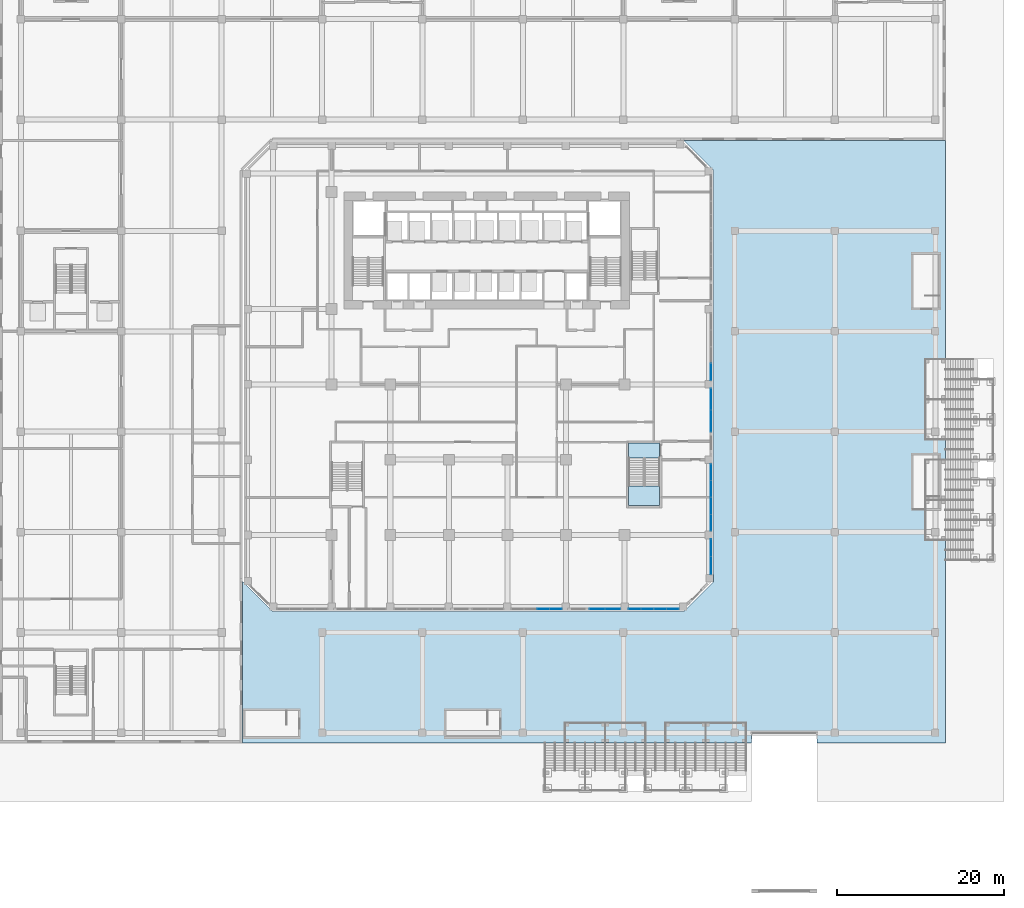
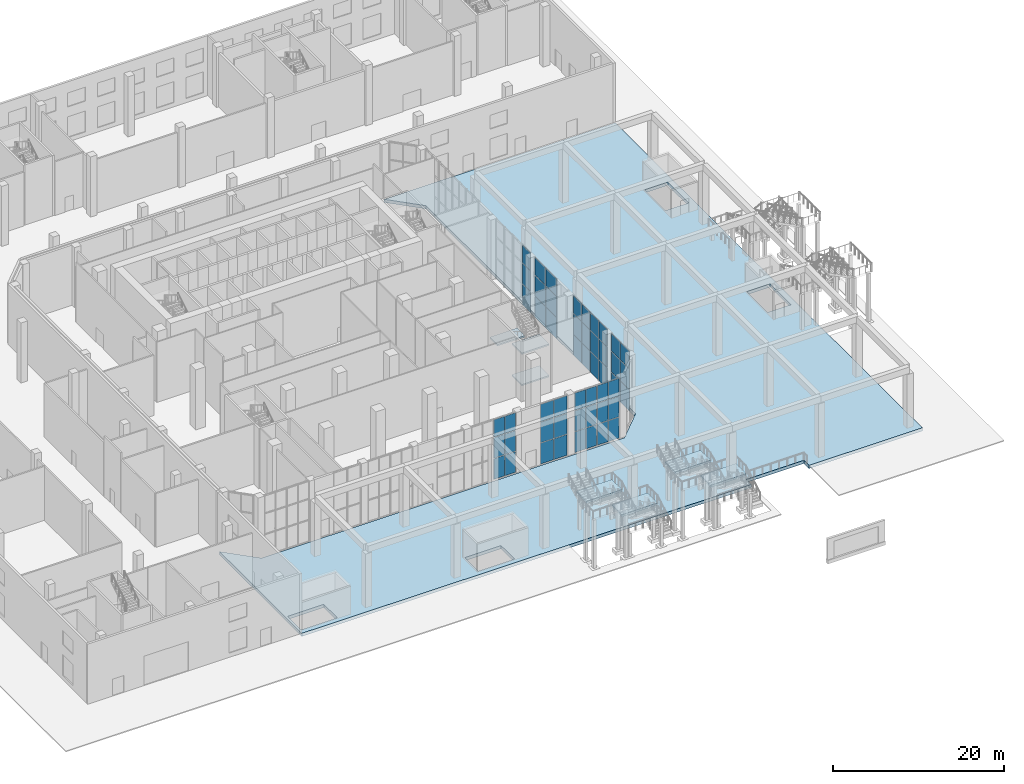
# One storey, part 15 of 43: 51 plates, 8 slabs, 12 elements without a shape of their own.
"""IFC4 building model written with IfcOpenShell, lengths in metres."""

from ifc_helpers import new_model, si_unit, direction, frame, origin, origin_2d, place, context, subcontext, project, spatial, polyline, rectangle, outline, extrude, source, transform, mapped, material, layer, layer_set, type_object, element, aggregate, save


model = new_model("IFC4")

# Units and contexts
model_context = context("Model", 3, precision=1e-05, world=origin(), true_north=direction((0.0, 1.0)))
body_context = subcontext(model_context, "Body", "Model", "MODEL_VIEW")
ifc_project = project(units=[si_unit("LENGTHUNIT", "METRE"), si_unit("AREAUNIT", "SQUARE_METRE"), si_unit("VOLUMEUNIT", "CUBIC_METRE"), si_unit("PLANEANGLEUNIT", "RADIAN"), si_unit("MASSUNIT", "GRAM", prefix="KILO")], contexts=[model_context])

# Site, building, storey
site_placement = place(None, origin())
site = spatial("IfcSite", under=ifc_project, at=site_placement, CompositionType="ELEMENT")
building_placement = place(site_placement, origin())
building = spatial("IfcBuilding", under=site, at=building_placement, Name="Kilnfold Tower and Market Hall", CompositionType="ELEMENT")
storey_placement = place(building_placement, origin())
storey = spatial("IfcBuildingStorey", under=building, at=storey_placement, Name="L00", CompositionType="ELEMENT", Elevation=0.0)

# Slab
ifc_material_1 = material(Name="Concrete C40/50", Category="concrete")
ifc_layer_1 = layer(ifc_material_1, 0.449951171875)
ifc_layer_set_1 = layer_set([ifc_layer_1], Name="Concrete C40/50")
slab_type_1 = type_object("IfcSlabType", Name="ARCADE SLAB 450", PredefinedType="FLOOR", material=ifc_layer_set_1)
shared_shape_1 = source(origin(), body_context, "Body", "SweptSolid", [
    extrude(outline(polyline([(-28.14990234375, -43.85009765625), (32.699951171875, -43.85009765625), (32.699951171875, -42.64990234375), (40.5, -42.64990234375), (40.5, -43.85009765625), (55.85009765625, -43.85009765625), (55.85009765625, 28.14990234375), (24.56201171875, 28.14990234375), (28.14990234375, 24.56201171875), (28.14990234375, -24.56201171875), (24.56201171875, -28.14990234375), (-24.56201171875, -28.14990234375), (-28.14990234375, -24.56201171875), (-28.14990234375, -43.85009765625)]), holes=[polyline([(-27.85009765625, -43.14990234375), (-22.955078125, -43.14990234375), (-22.955078125, -40.0), (-27.85009765625, -40.0), (-27.85009765625, -43.14990234375)]), polyline([(-3.85009765625, -43.14990234375), (1.044921875, -43.14990234375), (1.044921875, -40.0), (-3.85009765625, -40.0), (-3.85009765625, -43.14990234375)]), polyline([(51.949951171875, -14.344970703125), (55.10009765625, -14.344970703125), (55.10009765625, -9.449951171875), (51.949951171875, -9.449951171875), (51.949951171875, -14.344970703125)]), polyline([(51.949951171875, 9.655029296875), (55.10009765625, 9.655029296875), (55.10009765625, 14.550048828125), (51.949951171875, 14.550048828125), (51.949951171875, 9.655029296875)])]), origin(), (0.0, 0.0, 1.0), 0.449951171875),
])
slab_1_placement = place(storey_placement, frame((0.0, 0.0, -0.449951171875)))
element("IfcSlab", 1, at=slab_1_placement, inside=storey, type_object=slab_type_1, Name="Arcade slab", PredefinedType="FLOOR", context=body_context, shape_type="MappedRepresentation", body=[
    mapped(shared_shape_1, transform((0.0, 0.0, 0.0))),
])

# Stair, slabs
ifc_material_2 = material(Name="Concrete C40/50", Category="concrete")
stair_type_1 = type_object("IfcStairType", Name="GARDEN STAIR 2400", PredefinedType="USERDEFINED", material=ifc_material_2)
stair_1_placement = place(storey_placement, origin())
stair_1 = element("IfcStair", 2, at=stair_1_placement, inside=storey, type_object=stair_type_1, Name="Garden stair GS-S1", ObjectType="GARDEN STAIR", PredefinedType="USERDEFINED")
ifc_material_3 = material(Name="Concrete C40/50", Category="concrete")
ifc_layer_2 = layer(ifc_material_3, 0.300048828125)
ifc_layer_set_2 = layer_set([ifc_layer_2], Name="Concrete C40/50")
slab_type_2 = type_object("IfcSlabType", Name="GARDEN STAIR LANDING 300", PredefinedType="LANDING", material=ifc_layer_set_2)
shared_shape_2 = source(origin(), body_context, "Body", "SweptSolid", [
    extrude(outline(polyline([(10.39990234375, -41.449951171875), (15.199951171875, -41.449951171875), (15.199951171875, -43.85009765625), (10.39990234375, -43.85009765625), (10.39990234375, -41.449951171875)])), origin(), (0.0, 0.0, 1.0), 0.2998046875),
])
slab_2_placement = place(storey_placement, frame((0.0, 0.0, 5.10009765625)))
slab_2 = element("IfcSlab", 3, at=slab_2_placement, type_object=slab_type_2, Name="GS-S1 landing 2", PredefinedType="LANDING", context=body_context, shape_type="MappedRepresentation", body=[
    mapped(shared_shape_2, transform((0.0, 0.0, 0.0))),
])
shared_shape_3 = source(origin(), body_context, "Body", "SweptSolid", [
    extrude(outline(polyline([(15.199951171875, -41.449951171875), (20.0, -41.449951171875), (20.0, -43.85009765625), (15.199951171875, -43.85009765625), (15.199951171875, -41.449951171875)])), origin(), (0.0, 0.0, 1.0), 0.300048828125),
])
slab_3_placement = place(storey_placement, frame((0.0, 0.0, 1.5)))
slab_3 = element("IfcSlab", 4, at=slab_3_placement, type_object=slab_type_2, Name="GS-S1 landing 4", PredefinedType="LANDING", context=body_context, shape_type="MappedRepresentation", body=[
    mapped(shared_shape_3, transform((0.0, 0.0, 0.0))),
])
aggregate(stair_1, [slab_2, slab_3])

stair_2_placement = place(storey_placement, origin())
stair_2 = element("IfcStair", 5, at=stair_2_placement, inside=storey, type_object=stair_type_1, Name="Garden stair GS-S2", ObjectType="GARDEN STAIR", PredefinedType="USERDEFINED")
shared_shape_4 = source(origin(), body_context, "Body", "SweptSolid", [
    extrude(outline(polyline([(22.39990234375, -41.449951171875), (27.199951171875, -41.449951171875), (27.199951171875, -43.85009765625), (22.39990234375, -43.85009765625), (22.39990234375, -41.449951171875)])), origin(), (0.0, 0.0, 1.0), 0.2998046875),
])
slab_4_placement = place(storey_placement, frame((0.0, 0.0, 5.10009765625)))
slab_4 = element("IfcSlab", 6, at=slab_4_placement, type_object=slab_type_2, Name="GS-S2 landing 2", PredefinedType="LANDING", context=body_context, shape_type="MappedRepresentation", body=[
    mapped(shared_shape_4, transform((0.0, 0.0, 0.0))),
])
shared_shape_5 = source(origin(), body_context, "Body", "SweptSolid", [
    extrude(outline(polyline([(27.199951171875, -41.449951171875), (32.0, -41.449951171875), (32.0, -43.85009765625), (27.199951171875, -43.85009765625), (27.199951171875, -41.449951171875)])), origin(), (0.0, 0.0, 1.0), 0.300048828125),
])
slab_5_placement = place(storey_placement, frame((0.0, 0.0, 1.5)))
slab_5 = element("IfcSlab", 7, at=slab_5_placement, type_object=slab_type_2, Name="GS-S2 landing 4", PredefinedType="LANDING", context=body_context, shape_type="MappedRepresentation", body=[
    mapped(shared_shape_5, transform((0.0, 0.0, 0.0))),
])
aggregate(stair_2, [slab_4, slab_5])

# Curtain wall, plates
ifc_material_4 = material(Name="Aluminium and double glazing", Category="aluminium")
curtain_wall_type = type_object("IfcCurtainWallType", Name="CW BASE PODIUM GLAZING", PredefinedType="NOTDEFINED", material=ifc_material_4)
curtain_wall_1_placement = place(storey_placement, origin())
curtain_wall_1 = element("IfcCurtainWall", 8, at=curtain_wall_1_placement, inside=storey, type_object=curtain_wall_type, Name="Curtain wall CW4 L00 S", PredefinedType="NOTDEFINED")
ifc_material_5 = material(Name="Double glazed unit")
ifc_layer_3 = layer(ifc_material_5, 0.035888671875)
ifc_layer_set_3 = layer_set([ifc_layer_3], Name="Double glazed unit")
plate_type = type_object("IfcPlateType", Name="GLAZING PANEL 36", PredefinedType="CURTAIN_PANEL", material=ifc_layer_set_3)
shared_shape_6 = source(origin(), body_context, "Body", "SweptSolid", [
    extrude(rectangle(XDim=1.419921875, YDim=0.035888671875, at=origin_2d()), origin(), (0.0, 0.0, 1.0), 2.965087890625),
])
plate_1_placement = place(storey_placement, frame((7.780029296875, -27.85009765625, 0.0), z_axis=(0.0, 0.0, 1.0), x_axis=(1.0, 0.0, 0.0)))
plate_1 = element("IfcPlate", 9, at=plate_1_placement, type_object=plate_type, Name="CW4 panel 1.1", PredefinedType="CURTAIN_PANEL", context=body_context, shape_type="MappedRepresentation", body=[
    mapped(shared_shape_6, transform((0.0, 0.0, 0.0))),
])
plate_2_placement = place(storey_placement, frame((9.27001953125, -27.85009765625, 0.0), z_axis=(0.0, 0.0, 1.0), x_axis=(1.0, 0.0, 0.0)))
plate_2 = element("IfcPlate", 10, at=plate_2_placement, type_object=plate_type, Name="CW4 panel 2.1", PredefinedType="CURTAIN_PANEL", context=body_context, shape_type="MappedRepresentation", body=[
    mapped(shared_shape_6, transform((0.0, 0.0, 0.0))),
])

curtain_wall_2_placement = place(storey_placement, origin())
curtain_wall_2 = element("IfcCurtainWall", 11, at=curtain_wall_2_placement, inside=storey, type_object=curtain_wall_type, Name="Curtain wall CW4 L00 S", PredefinedType="NOTDEFINED")
plate_3_placement = place(storey_placement, frame((18.72998046875, -27.85009765625, 0.0), z_axis=(0.0, 0.0, 1.0), x_axis=(1.0, 0.0, 0.0)))
plate_3 = element("IfcPlate", 12, at=plate_3_placement, type_object=plate_type, Name="CW4 panel 1.1", PredefinedType="CURTAIN_PANEL", context=body_context, shape_type="MappedRepresentation", body=[
    mapped(shared_shape_6, transform((0.0, 0.0, 0.0))),
])
plate_4_placement = place(storey_placement, frame((20.219970703125, -27.85009765625, 0.0), z_axis=(0.0, 0.0, 1.0), x_axis=(1.0, 0.0, 0.0)))
plate_4 = element("IfcPlate", 13, at=plate_4_placement, type_object=plate_type, Name="CW4 panel 2.1", PredefinedType="CURTAIN_PANEL", context=body_context, shape_type="MappedRepresentation", body=[
    mapped(shared_shape_6, transform((0.0, 0.0, 0.0))),
])

curtain_wall_3_placement = place(storey_placement, origin())
curtain_wall_3 = element("IfcCurtainWall", 14, at=curtain_wall_3_placement, inside=storey, type_object=curtain_wall_type, Name="Curtain wall CW4 L00 S", PredefinedType="NOTDEFINED")
plate_5_placement = place(storey_placement, frame((21.780029296875, -27.85009765625, 0.0), z_axis=(0.0, 0.0, 1.0), x_axis=(1.0, 0.0, 0.0)))
plate_5 = element("IfcPlate", 15, at=plate_5_placement, type_object=plate_type, Name="CW4 panel 1.1", PredefinedType="CURTAIN_PANEL", context=body_context, shape_type="MappedRepresentation", body=[
    mapped(shared_shape_6, transform((0.0, 0.0, 0.0))),
])
plate_6_placement = place(storey_placement, frame((23.27001953125, -27.85009765625, 0.0), z_axis=(0.0, 0.0, 1.0), x_axis=(1.0, 0.0, 0.0)))
plate_6 = element("IfcPlate", 16, at=plate_6_placement, type_object=plate_type, Name="CW4 panel 2.1", PredefinedType="CURTAIN_PANEL", context=body_context, shape_type="MappedRepresentation", body=[
    mapped(shared_shape_6, transform((0.0, 0.0, 0.0))),
])

# Plate
shared_shape_7 = source(origin(), body_context, "Body", "SweptSolid", [
    extrude(rectangle(XDim=1.419921875, YDim=0.035888671875, at=origin_2d()), origin(), (0.0, 0.0, 1.0), 2.929931640625),
])
plate_7_placement = place(storey_placement, frame((7.780029296875, -27.85009765625, 3.03515625), z_axis=(0.0, 0.0, 1.0), x_axis=(1.0, 0.0, 0.0)))
plate_7 = element("IfcPlate", 17, at=plate_7_placement, type_object=plate_type, Name="CW4 panel 1.2", PredefinedType="CURTAIN_PANEL", context=body_context, shape_type="MappedRepresentation", body=[
    mapped(shared_shape_7, transform((0.0, 0.0, 0.0))),
])

plate_8_placement = place(storey_placement, frame((9.27001953125, -27.85009765625, 3.03515625), z_axis=(0.0, 0.0, 1.0), x_axis=(1.0, 0.0, 0.0)))
plate_8 = element("IfcPlate", 18, at=plate_8_placement, type_object=plate_type, Name="CW4 panel 2.2", PredefinedType="CURTAIN_PANEL", context=body_context, shape_type="MappedRepresentation", body=[
    mapped(shared_shape_7, transform((0.0, 0.0, 0.0))),
])

plate_9_placement = place(storey_placement, frame((18.72998046875, -27.85009765625, 3.03515625), z_axis=(0.0, 0.0, 1.0), x_axis=(1.0, 0.0, 0.0)))
plate_9 = element("IfcPlate", 19, at=plate_9_placement, type_object=plate_type, Name="CW4 panel 1.2", PredefinedType="CURTAIN_PANEL", context=body_context, shape_type="MappedRepresentation", body=[
    mapped(shared_shape_7, transform((0.0, 0.0, 0.0))),
])

plate_10_placement = place(storey_placement, frame((20.219970703125, -27.85009765625, 3.03515625), z_axis=(0.0, 0.0, 1.0), x_axis=(1.0, 0.0, 0.0)))
plate_10 = element("IfcPlate", 20, at=plate_10_placement, type_object=plate_type, Name="CW4 panel 2.2", PredefinedType="CURTAIN_PANEL", context=body_context, shape_type="MappedRepresentation", body=[
    mapped(shared_shape_7, transform((0.0, 0.0, 0.0))),
])

plate_11_placement = place(storey_placement, frame((21.780029296875, -27.85009765625, 3.03515625), z_axis=(0.0, 0.0, 1.0), x_axis=(1.0, 0.0, 0.0)))
plate_11 = element("IfcPlate", 21, at=plate_11_placement, type_object=plate_type, Name="CW4 panel 1.2", PredefinedType="CURTAIN_PANEL", context=body_context, shape_type="MappedRepresentation", body=[
    mapped(shared_shape_7, transform((0.0, 0.0, 0.0))),
])

plate_12_placement = place(storey_placement, frame((23.27001953125, -27.85009765625, 3.03515625), z_axis=(0.0, 0.0, 1.0), x_axis=(1.0, 0.0, 0.0)))
plate_12 = element("IfcPlate", 22, at=plate_12_placement, type_object=plate_type, Name="CW4 panel 2.2", PredefinedType="CURTAIN_PANEL", context=body_context, shape_type="MappedRepresentation", body=[
    mapped(shared_shape_7, transform((0.0, 0.0, 0.0))),
])

shared_shape_8 = source(origin(), body_context, "Body", "SweptSolid", [
    extrude(rectangle(XDim=1.419921875, YDim=0.035888671875, at=origin_2d()), origin(), (0.0, 0.0, 1.0), 2.4951171875),
])
plate_13_placement = place(storey_placement, frame((7.780029296875, -27.85009765625, 6.034912109375), z_axis=(0.0, 0.0, 1.0), x_axis=(1.0, 0.0, 0.0)))
plate_13 = element("IfcPlate", 23, at=plate_13_placement, type_object=plate_type, Name="CW4 panel 1.3", PredefinedType="CURTAIN_PANEL", context=body_context, shape_type="MappedRepresentation", body=[
    mapped(shared_shape_8, transform((0.0, 0.0, 0.0))),
])

plate_14_placement = place(storey_placement, frame((9.27001953125, -27.85009765625, 6.034912109375), z_axis=(0.0, 0.0, 1.0), x_axis=(1.0, 0.0, 0.0)))
plate_14 = element("IfcPlate", 24, at=plate_14_placement, type_object=plate_type, Name="CW4 panel 2.3", PredefinedType="CURTAIN_PANEL", context=body_context, shape_type="MappedRepresentation", body=[
    mapped(shared_shape_8, transform((0.0, 0.0, 0.0))),
])

aggregate(curtain_wall_1, [plate_1, plate_7, plate_13, plate_2, plate_8, plate_14])

plate_15_placement = place(storey_placement, frame((18.72998046875, -27.85009765625, 6.034912109375), z_axis=(0.0, 0.0, 1.0), x_axis=(1.0, 0.0, 0.0)))
plate_15 = element("IfcPlate", 25, at=plate_15_placement, type_object=plate_type, Name="CW4 panel 1.3", PredefinedType="CURTAIN_PANEL", context=body_context, shape_type="MappedRepresentation", body=[
    mapped(shared_shape_8, transform((0.0, 0.0, 0.0))),
])

plate_16_placement = place(storey_placement, frame((20.219970703125, -27.85009765625, 6.034912109375), z_axis=(0.0, 0.0, 1.0), x_axis=(1.0, 0.0, 0.0)))
plate_16 = element("IfcPlate", 26, at=plate_16_placement, type_object=plate_type, Name="CW4 panel 2.3", PredefinedType="CURTAIN_PANEL", context=body_context, shape_type="MappedRepresentation", body=[
    mapped(shared_shape_8, transform((0.0, 0.0, 0.0))),
])

aggregate(curtain_wall_2, [plate_3, plate_9, plate_15, plate_4, plate_10, plate_16])

plate_17_placement = place(storey_placement, frame((21.780029296875, -27.85009765625, 6.034912109375), z_axis=(0.0, 0.0, 1.0), x_axis=(1.0, 0.0, 0.0)))
plate_17 = element("IfcPlate", 27, at=plate_17_placement, type_object=plate_type, Name="CW4 panel 1.3", PredefinedType="CURTAIN_PANEL", context=body_context, shape_type="MappedRepresentation", body=[
    mapped(shared_shape_8, transform((0.0, 0.0, 0.0))),
])

plate_18_placement = place(storey_placement, frame((23.27001953125, -27.85009765625, 6.034912109375), z_axis=(0.0, 0.0, 1.0), x_axis=(1.0, 0.0, 0.0)))
plate_18 = element("IfcPlate", 28, at=plate_18_placement, type_object=plate_type, Name="CW4 panel 2.3", PredefinedType="CURTAIN_PANEL", context=body_context, shape_type="MappedRepresentation", body=[
    mapped(shared_shape_8, transform((0.0, 0.0, 0.0))),
])

aggregate(curtain_wall_3, [plate_5, plate_11, plate_17, plate_6, plate_12, plate_18])

# Curtain wall, plates
curtain_wall_4_placement = place(storey_placement, origin())
curtain_wall_4 = element("IfcCurtainWall", 29, at=curtain_wall_4_placement, inside=storey, type_object=curtain_wall_type, Name="Curtain wall CW4 L00 S", PredefinedType="NOTDEFINED")
shared_shape_9 = source(origin(), body_context, "Body", "SweptSolid", [
    extrude(rectangle(XDim=1.77001953125, YDim=0.035888671875, at=origin_2d()), origin(), (0.0, 0.0, 1.0), 2.965087890625),
])
plate_19_placement = place(storey_placement, frame((14.2548828125, -27.85009765625, 0.0), z_axis=(0.0, 0.0, 1.0), x_axis=(1.0, 0.0, 0.0)))
plate_19 = element("IfcPlate", 30, at=plate_19_placement, type_object=plate_type, Name="CW4 panel 1.1", PredefinedType="CURTAIN_PANEL", context=body_context, shape_type="MappedRepresentation", body=[
    mapped(shared_shape_9, transform((0.0, 0.0, 0.0))),
])
plate_20_placement = place(storey_placement, frame((16.094970703125, -27.85009765625, 0.0), z_axis=(0.0, 0.0, 1.0), x_axis=(1.0, 0.0, 0.0)))
plate_20 = element("IfcPlate", 31, at=plate_20_placement, type_object=plate_type, Name="CW4 panel 2.1", PredefinedType="CURTAIN_PANEL", context=body_context, shape_type="MappedRepresentation", body=[
    mapped(shared_shape_9, transform((0.0, 0.0, 0.0))),
])
shared_shape_10 = source(origin(), body_context, "Body", "SweptSolid", [
    extrude(rectangle(XDim=1.77001953125, YDim=0.035888671875, at=origin_2d()), origin(), (0.0, 0.0, 1.0), 2.929931640625),
])
plate_21_placement = place(storey_placement, frame((14.2548828125, -27.85009765625, 3.03515625), z_axis=(0.0, 0.0, 1.0), x_axis=(1.0, 0.0, 0.0)))
plate_21 = element("IfcPlate", 32, at=plate_21_placement, type_object=plate_type, Name="CW4 panel 1.2", PredefinedType="CURTAIN_PANEL", context=body_context, shape_type="MappedRepresentation", body=[
    mapped(shared_shape_10, transform((0.0, 0.0, 0.0))),
])
plate_22_placement = place(storey_placement, frame((16.094970703125, -27.85009765625, 3.03515625), z_axis=(0.0, 0.0, 1.0), x_axis=(1.0, 0.0, 0.0)))
plate_22 = element("IfcPlate", 33, at=plate_22_placement, type_object=plate_type, Name="CW4 panel 2.2", PredefinedType="CURTAIN_PANEL", context=body_context, shape_type="MappedRepresentation", body=[
    mapped(shared_shape_10, transform((0.0, 0.0, 0.0))),
])
shared_shape_11 = source(origin(), body_context, "Body", "SweptSolid", [
    extrude(rectangle(XDim=1.77001953125, YDim=0.035888671875, at=origin_2d()), origin(), (0.0, 0.0, 1.0), 2.4951171875),
])
plate_23_placement = place(storey_placement, frame((14.2548828125, -27.85009765625, 6.034912109375), z_axis=(0.0, 0.0, 1.0), x_axis=(1.0, 0.0, 0.0)))
plate_23 = element("IfcPlate", 34, at=plate_23_placement, type_object=plate_type, Name="CW4 panel 1.3", PredefinedType="CURTAIN_PANEL", context=body_context, shape_type="MappedRepresentation", body=[
    mapped(shared_shape_11, transform((0.0, 0.0, 0.0))),
])
plate_24_placement = place(storey_placement, frame((16.094970703125, -27.85009765625, 6.034912109375), z_axis=(0.0, 0.0, 1.0), x_axis=(1.0, 0.0, 0.0)))
plate_24 = element("IfcPlate", 35, at=plate_24_placement, type_object=plate_type, Name="CW4 panel 2.3", PredefinedType="CURTAIN_PANEL", context=body_context, shape_type="MappedRepresentation", body=[
    mapped(shared_shape_11, transform((0.0, 0.0, 0.0))),
])
aggregate(curtain_wall_4, [plate_19, plate_21, plate_23, plate_20, plate_22, plate_24])

curtain_wall_5_placement = place(storey_placement, origin())
curtain_wall_5 = element("IfcCurtainWall", 36, at=curtain_wall_5_placement, inside=storey, type_object=curtain_wall_type, Name="Curtain wall CW4 L00 E", PredefinedType="NOTDEFINED")
shared_shape_12 = source(origin(), body_context, "Body", "SweptSolid", [
    extrude(rectangle(XDim=2.035888671875, YDim=0.035888671875, at=origin_2d()), origin(), (0.0, 0.0, 1.0), 2.965087890625),
])
plate_25_placement = place(storey_placement, frame((27.85009765625, -22.643798828125, 0.0), z_axis=(0.0, 0.0, 1.0), x_axis=(0.0, 1.0, 0.0)))
plate_25 = element("IfcPlate", 37, at=plate_25_placement, type_object=plate_type, Name="CW4 panel 1.1", PredefinedType="CURTAIN_PANEL", context=body_context, shape_type="MappedRepresentation", body=[
    mapped(shared_shape_12, transform((0.0, 0.0, 0.0))),
])
plate_26_placement = place(storey_placement, frame((27.85009765625, -20.537841796875, 0.0), z_axis=(0.0, 0.0, 1.0), x_axis=(0.0, 1.0, 0.0)))
plate_26 = element("IfcPlate", 38, at=plate_26_placement, type_object=plate_type, Name="CW4 panel 2.1", PredefinedType="CURTAIN_PANEL", context=body_context, shape_type="MappedRepresentation", body=[
    mapped(shared_shape_12, transform((0.0, 0.0, 0.0))),
])
shared_shape_13 = source(origin(), body_context, "Body", "SweptSolid", [
    extrude(rectangle(XDim=2.035888671875, YDim=0.035888671875, at=origin_2d()), origin(), (0.0, 0.0, 1.0), 2.929931640625),
])
plate_27_placement = place(storey_placement, frame((27.85009765625, -22.643798828125, 3.03515625), z_axis=(0.0, 0.0, 1.0), x_axis=(0.0, 1.0, 0.0)))
plate_27 = element("IfcPlate", 39, at=plate_27_placement, type_object=plate_type, Name="CW4 panel 1.2", PredefinedType="CURTAIN_PANEL", context=body_context, shape_type="MappedRepresentation", body=[
    mapped(shared_shape_13, transform((0.0, 0.0, 0.0))),
])
plate_28_placement = place(storey_placement, frame((27.85009765625, -20.537841796875, 3.03515625), z_axis=(0.0, 0.0, 1.0), x_axis=(0.0, 1.0, 0.0)))
plate_28 = element("IfcPlate", 40, at=plate_28_placement, type_object=plate_type, Name="CW4 panel 2.2", PredefinedType="CURTAIN_PANEL", context=body_context, shape_type="MappedRepresentation", body=[
    mapped(shared_shape_13, transform((0.0, 0.0, 0.0))),
])
shared_shape_14 = source(origin(), body_context, "Body", "SweptSolid", [
    extrude(rectangle(XDim=2.035888671875, YDim=0.035888671875, at=origin_2d()), origin(), (0.0, 0.0, 1.0), 2.4951171875),
])
plate_29_placement = place(storey_placement, frame((27.85009765625, -22.643798828125, 6.034912109375), z_axis=(0.0, 0.0, 1.0), x_axis=(0.0, 1.0, 0.0)))
plate_29 = element("IfcPlate", 41, at=plate_29_placement, type_object=plate_type, Name="CW4 panel 1.3", PredefinedType="CURTAIN_PANEL", context=body_context, shape_type="MappedRepresentation", body=[
    mapped(shared_shape_14, transform((0.0, 0.0, 0.0))),
])
plate_30_placement = place(storey_placement, frame((27.85009765625, -20.537841796875, 6.034912109375), z_axis=(0.0, 0.0, 1.0), x_axis=(0.0, 1.0, 0.0)))
plate_30 = element("IfcPlate", 42, at=plate_30_placement, type_object=plate_type, Name="CW4 panel 2.3", PredefinedType="CURTAIN_PANEL", context=body_context, shape_type="MappedRepresentation", body=[
    mapped(shared_shape_14, transform((0.0, 0.0, 0.0))),
])
aggregate(curtain_wall_5, [plate_25, plate_27, plate_29, plate_26, plate_28, plate_30])

curtain_wall_6_placement = place(storey_placement, origin())
curtain_wall_6 = element("IfcCurtainWall", 43, at=curtain_wall_6_placement, inside=storey, type_object=curtain_wall_type, Name="Curtain wall CW4 L00 E", PredefinedType="NOTDEFINED")
shared_shape_15 = source(origin(), body_context, "Body", "SweptSolid", [
    extrude(rectangle(XDim=1.919921875, YDim=0.035888671875, at=origin_2d()), origin(), (0.0, 0.0, 1.0), 2.965087890625),
])
plate_31_placement = place(storey_placement, frame((27.85009765625, -17.52001953125, 0.0), z_axis=(0.0, 0.0, 1.0), x_axis=(0.0, 1.0, 0.0)))
plate_31 = element("IfcPlate", 44, at=plate_31_placement, type_object=plate_type, Name="CW4 panel 1.1", PredefinedType="CURTAIN_PANEL", context=body_context, shape_type="MappedRepresentation", body=[
    mapped(shared_shape_15, transform((0.0, 0.0, 0.0))),
])
plate_32_placement = place(storey_placement, frame((27.85009765625, -15.530029296875, 0.0), z_axis=(0.0, 0.0, 1.0), x_axis=(0.0, 1.0, 0.0)))
plate_32 = element("IfcPlate", 45, at=plate_32_placement, type_object=plate_type, Name="CW4 panel 2.1", PredefinedType="CURTAIN_PANEL", context=body_context, shape_type="MappedRepresentation", body=[
    mapped(shared_shape_15, transform((0.0, 0.0, 0.0))),
])

curtain_wall_7_placement = place(storey_placement, origin())
curtain_wall_7 = element("IfcCurtainWall", 46, at=curtain_wall_7_placement, inside=storey, type_object=curtain_wall_type, Name="Curtain wall CW4 L00 E", PredefinedType="NOTDEFINED")
plate_33_placement = place(storey_placement, frame((27.85009765625, -13.469970703125, 0.0), z_axis=(0.0, 0.0, 1.0), x_axis=(0.0, 1.0, 0.0)))
plate_33 = element("IfcPlate", 47, at=plate_33_placement, type_object=plate_type, Name="CW4 panel 1.1", PredefinedType="CURTAIN_PANEL", context=body_context, shape_type="MappedRepresentation", body=[
    mapped(shared_shape_15, transform((0.0, 0.0, 0.0))),
])
plate_34_placement = place(storey_placement, frame((27.85009765625, -11.47998046875, 0.0), z_axis=(0.0, 0.0, 1.0), x_axis=(0.0, 1.0, 0.0)))
plate_34 = element("IfcPlate", 48, at=plate_34_placement, type_object=plate_type, Name="CW4 panel 2.1", PredefinedType="CURTAIN_PANEL", context=body_context, shape_type="MappedRepresentation", body=[
    mapped(shared_shape_15, transform((0.0, 0.0, 0.0))),
])

# Curtain wall, plate
curtain_wall_8_placement = place(storey_placement, origin())
curtain_wall_8 = element("IfcCurtainWall", 49, at=curtain_wall_8_placement, inside=storey, type_object=curtain_wall_type, Name="Curtain wall CW4 L00 E", PredefinedType="NOTDEFINED")
plate_35_placement = place(storey_placement, frame((27.85009765625, 0.47998046875, 0.0), z_axis=(0.0, 0.0, 1.0), x_axis=(0.0, 1.0, 0.0)))
plate_35 = element("IfcPlate", 50, at=plate_35_placement, type_object=plate_type, Name="CW4 panel 1.1", PredefinedType="CURTAIN_PANEL", context=body_context, shape_type="MappedRepresentation", body=[
    mapped(shared_shape_15, transform((0.0, 0.0, 0.0))),
])

# Plate
shared_shape_16 = source(origin(), body_context, "Body", "SweptSolid", [
    extrude(rectangle(XDim=1.919921875, YDim=0.035888671875, at=origin_2d()), origin(), (0.0, 0.0, 1.0), 2.929931640625),
])
plate_36_placement = place(storey_placement, frame((27.85009765625, -17.52001953125, 3.03515625), z_axis=(0.0, 0.0, 1.0), x_axis=(0.0, 1.0, 0.0)))
plate_36 = element("IfcPlate", 51, at=plate_36_placement, type_object=plate_type, Name="CW4 panel 1.2", PredefinedType="CURTAIN_PANEL", context=body_context, shape_type="MappedRepresentation", body=[
    mapped(shared_shape_16, transform((0.0, 0.0, 0.0))),
])

plate_37_placement = place(storey_placement, frame((27.85009765625, -15.530029296875, 3.03515625), z_axis=(0.0, 0.0, 1.0), x_axis=(0.0, 1.0, 0.0)))
plate_37 = element("IfcPlate", 52, at=plate_37_placement, type_object=plate_type, Name="CW4 panel 2.2", PredefinedType="CURTAIN_PANEL", context=body_context, shape_type="MappedRepresentation", body=[
    mapped(shared_shape_16, transform((0.0, 0.0, 0.0))),
])

plate_38_placement = place(storey_placement, frame((27.85009765625, -13.469970703125, 3.03515625), z_axis=(0.0, 0.0, 1.0), x_axis=(0.0, 1.0, 0.0)))
plate_38 = element("IfcPlate", 53, at=plate_38_placement, type_object=plate_type, Name="CW4 panel 1.2", PredefinedType="CURTAIN_PANEL", context=body_context, shape_type="MappedRepresentation", body=[
    mapped(shared_shape_16, transform((0.0, 0.0, 0.0))),
])

plate_39_placement = place(storey_placement, frame((27.85009765625, -11.47998046875, 3.03515625), z_axis=(0.0, 0.0, 1.0), x_axis=(0.0, 1.0, 0.0)))
plate_39 = element("IfcPlate", 54, at=plate_39_placement, type_object=plate_type, Name="CW4 panel 2.2", PredefinedType="CURTAIN_PANEL", context=body_context, shape_type="MappedRepresentation", body=[
    mapped(shared_shape_16, transform((0.0, 0.0, 0.0))),
])

plate_40_placement = place(storey_placement, frame((27.85009765625, 0.47998046875, 3.03515625), z_axis=(0.0, 0.0, 1.0), x_axis=(0.0, 1.0, 0.0)))
plate_40 = element("IfcPlate", 55, at=plate_40_placement, type_object=plate_type, Name="CW4 panel 1.2", PredefinedType="CURTAIN_PANEL", context=body_context, shape_type="MappedRepresentation", body=[
    mapped(shared_shape_16, transform((0.0, 0.0, 0.0))),
])

shared_shape_17 = source(origin(), body_context, "Body", "SweptSolid", [
    extrude(rectangle(XDim=1.919921875, YDim=0.035888671875, at=origin_2d()), origin(), (0.0, 0.0, 1.0), 2.4951171875),
])
plate_41_placement = place(storey_placement, frame((27.85009765625, -17.52001953125, 6.034912109375), z_axis=(0.0, 0.0, 1.0), x_axis=(0.0, 1.0, 0.0)))
plate_41 = element("IfcPlate", 56, at=plate_41_placement, type_object=plate_type, Name="CW4 panel 1.3", PredefinedType="CURTAIN_PANEL", context=body_context, shape_type="MappedRepresentation", body=[
    mapped(shared_shape_17, transform((0.0, 0.0, 0.0))),
])

plate_42_placement = place(storey_placement, frame((27.85009765625, -15.530029296875, 6.034912109375), z_axis=(0.0, 0.0, 1.0), x_axis=(0.0, 1.0, 0.0)))
plate_42 = element("IfcPlate", 57, at=plate_42_placement, type_object=plate_type, Name="CW4 panel 2.3", PredefinedType="CURTAIN_PANEL", context=body_context, shape_type="MappedRepresentation", body=[
    mapped(shared_shape_17, transform((0.0, 0.0, 0.0))),
])

aggregate(curtain_wall_6, [plate_31, plate_36, plate_41, plate_32, plate_37, plate_42])

plate_43_placement = place(storey_placement, frame((27.85009765625, -13.469970703125, 6.034912109375), z_axis=(0.0, 0.0, 1.0), x_axis=(0.0, 1.0, 0.0)))
plate_43 = element("IfcPlate", 58, at=plate_43_placement, type_object=plate_type, Name="CW4 panel 1.3", PredefinedType="CURTAIN_PANEL", context=body_context, shape_type="MappedRepresentation", body=[
    mapped(shared_shape_17, transform((0.0, 0.0, 0.0))),
])

plate_44_placement = place(storey_placement, frame((27.85009765625, -11.47998046875, 6.034912109375), z_axis=(0.0, 0.0, 1.0), x_axis=(0.0, 1.0, 0.0)))
plate_44 = element("IfcPlate", 59, at=plate_44_placement, type_object=plate_type, Name="CW4 panel 2.3", PredefinedType="CURTAIN_PANEL", context=body_context, shape_type="MappedRepresentation", body=[
    mapped(shared_shape_17, transform((0.0, 0.0, 0.0))),
])

aggregate(curtain_wall_7, [plate_33, plate_38, plate_43, plate_34, plate_39, plate_44])

plate_45_placement = place(storey_placement, frame((27.85009765625, 0.47998046875, 6.034912109375), z_axis=(0.0, 0.0, 1.0), x_axis=(0.0, 1.0, 0.0)))
plate_45 = element("IfcPlate", 60, at=plate_45_placement, type_object=plate_type, Name="CW4 panel 1.3", PredefinedType="CURTAIN_PANEL", context=body_context, shape_type="MappedRepresentation", body=[
    mapped(shared_shape_17, transform((0.0, 0.0, 0.0))),
])

aggregate(curtain_wall_8, [plate_35, plate_40, plate_45])

# Curtain wall, plates
curtain_wall_9_placement = place(storey_placement, origin())
curtain_wall_9 = element("IfcCurtainWall", 61, at=curtain_wall_9_placement, inside=storey, type_object=curtain_wall_type, Name="Curtain wall CW4 L00 E", PredefinedType="NOTDEFINED")
shared_shape_18 = source(origin(), body_context, "Body", "SweptSolid", [
    extrude(rectangle(XDim=2.52001953125, YDim=0.035888671875, at=origin_2d()), origin(), (0.0, 0.0, 1.0), 2.965087890625),
])
plate_46_placement = place(storey_placement, frame((27.85009765625, -5.3701171875, 0.0), z_axis=(0.0, 0.0, 1.0), x_axis=(0.0, 1.0, 0.0)))
plate_46 = element("IfcPlate", 62, at=plate_46_placement, type_object=plate_type, Name="CW4 panel 1.1", PredefinedType="CURTAIN_PANEL", context=body_context, shape_type="MappedRepresentation", body=[
    mapped(shared_shape_18, transform((0.0, 0.0, 0.0))),
])
plate_47_placement = place(storey_placement, frame((27.85009765625, -2.780029296875, 0.0), z_axis=(0.0, 0.0, 1.0), x_axis=(0.0, 1.0, 0.0)))
plate_47 = element("IfcPlate", 63, at=plate_47_placement, type_object=plate_type, Name="CW4 panel 2.1", PredefinedType="CURTAIN_PANEL", context=body_context, shape_type="MappedRepresentation", body=[
    mapped(shared_shape_18, transform((0.0, 0.0, 0.0))),
])
shared_shape_19 = source(origin(), body_context, "Body", "SweptSolid", [
    extrude(rectangle(XDim=2.52001953125, YDim=0.035888671875, at=origin_2d()), origin(), (0.0, 0.0, 1.0), 2.929931640625),
])
plate_48_placement = place(storey_placement, frame((27.85009765625, -5.3701171875, 3.03515625), z_axis=(0.0, 0.0, 1.0), x_axis=(0.0, 1.0, 0.0)))
plate_48 = element("IfcPlate", 64, at=plate_48_placement, type_object=plate_type, Name="CW4 panel 1.2", PredefinedType="CURTAIN_PANEL", context=body_context, shape_type="MappedRepresentation", body=[
    mapped(shared_shape_19, transform((0.0, 0.0, 0.0))),
])
plate_49_placement = place(storey_placement, frame((27.85009765625, -2.780029296875, 3.03515625), z_axis=(0.0, 0.0, 1.0), x_axis=(0.0, 1.0, 0.0)))
plate_49 = element("IfcPlate", 65, at=plate_49_placement, type_object=plate_type, Name="CW4 panel 2.2", PredefinedType="CURTAIN_PANEL", context=body_context, shape_type="MappedRepresentation", body=[
    mapped(shared_shape_19, transform((0.0, 0.0, 0.0))),
])
shared_shape_20 = source(origin(), body_context, "Body", "SweptSolid", [
    extrude(rectangle(XDim=2.52001953125, YDim=0.035888671875, at=origin_2d()), origin(), (0.0, 0.0, 1.0), 2.4951171875),
])
plate_50_placement = place(storey_placement, frame((27.85009765625, -5.3701171875, 6.034912109375), z_axis=(0.0, 0.0, 1.0), x_axis=(0.0, 1.0, 0.0)))
plate_50 = element("IfcPlate", 66, at=plate_50_placement, type_object=plate_type, Name="CW4 panel 1.3", PredefinedType="CURTAIN_PANEL", context=body_context, shape_type="MappedRepresentation", body=[
    mapped(shared_shape_20, transform((0.0, 0.0, 0.0))),
])
plate_51_placement = place(storey_placement, frame((27.85009765625, -2.780029296875, 6.034912109375), z_axis=(0.0, 0.0, 1.0), x_axis=(0.0, 1.0, 0.0)))
plate_51 = element("IfcPlate", 67, at=plate_51_placement, type_object=plate_type, Name="CW4 panel 2.3", PredefinedType="CURTAIN_PANEL", context=body_context, shape_type="MappedRepresentation", body=[
    mapped(shared_shape_20, transform((0.0, 0.0, 0.0))),
])
aggregate(curtain_wall_9, [plate_46, plate_48, plate_50, plate_47, plate_49, plate_51])

# Stair, slabs
ifc_material_6 = material(Name="Concrete C40/50", Category="concrete")
stair_type_2 = type_object("IfcStairType", Name="CORE STAIR 1800", PredefinedType="HALF_TURN_STAIR", material=ifc_material_6)
stair_3_placement = place(storey_placement, origin())
stair_3 = element("IfcStair", 68, at=stair_3_placement, inside=storey, type_object=stair_type_2, Name="L00 ST4", PredefinedType="HALF_TURN_STAIR")
ifc_material_7 = material(Name="Concrete C40/50", Category="concrete")
ifc_layer_4 = layer(ifc_material_7, 0.199951171875)
ifc_layer_set_4 = layer_set([ifc_layer_4], Name="Concrete C40/50")
slab_type_3 = type_object("IfcSlabType", Name="CORE STAIR LANDING 200", PredefinedType="LANDING", material=ifc_layer_set_4)
shared_shape_21 = source(origin(), body_context, "Body", "SweptSolid", [
    extrude(outline(polyline([(18.0, -13.159912109375), (18.0, -15.5), (21.699951171875, -15.5), (21.699951171875, -13.159912109375), (18.0, -13.159912109375)])), origin(), (0.0, 0.0, 1.0), 0.199951171875),
])
slab_6_placement = place(storey_placement, frame((0.0, 0.0, 2.050048828125)))
slab_6 = element("IfcSlab", 69, at=slab_6_placement, type_object=slab_type_3, Name="ST4 landing 1", PredefinedType="LANDING", context=body_context, shape_type="MappedRepresentation", body=[
    mapped(shared_shape_21, transform((0.0, 0.0, 0.0))),
])
slab_7_placement = place(storey_placement, frame((0.0, 0.0, 6.550048828125)))
slab_7 = element("IfcSlab", 70, at=slab_7_placement, type_object=slab_type_3, Name="ST4 landing 3", PredefinedType="LANDING", context=body_context, shape_type="MappedRepresentation", body=[
    mapped(shared_shape_21, transform((0.0, 0.0, 0.0))),
])
shared_shape_22 = source(origin(), body_context, "Body", "SweptSolid", [
    extrude(outline(polyline([(18.0, -8.0), (18.0, -9.800048828125), (21.699951171875, -9.800048828125), (21.699951171875, -8.0), (18.0, -8.0)])), origin(), (0.0, 0.0, 1.0), 0.199951171875),
])
slab_8_placement = place(storey_placement, frame((0.0, 0.0, 4.300048828125)))
slab_8 = element("IfcSlab", 71, at=slab_8_placement, type_object=slab_type_3, Name="ST4 landing 2", PredefinedType="LANDING", context=body_context, shape_type="MappedRepresentation", body=[
    mapped(shared_shape_22, transform((0.0, 0.0, 0.0))),
])
aggregate(stair_3, [slab_6, slab_8, slab_7])

save(model, "model.ifc")
